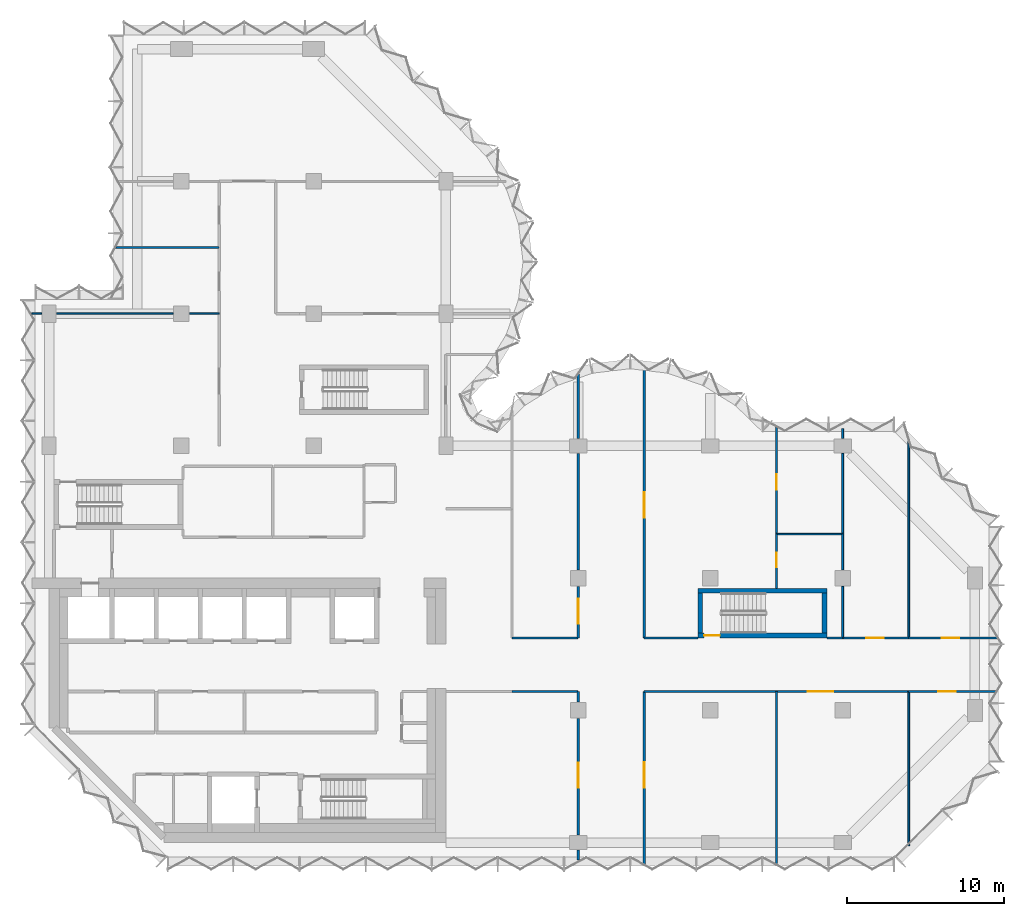
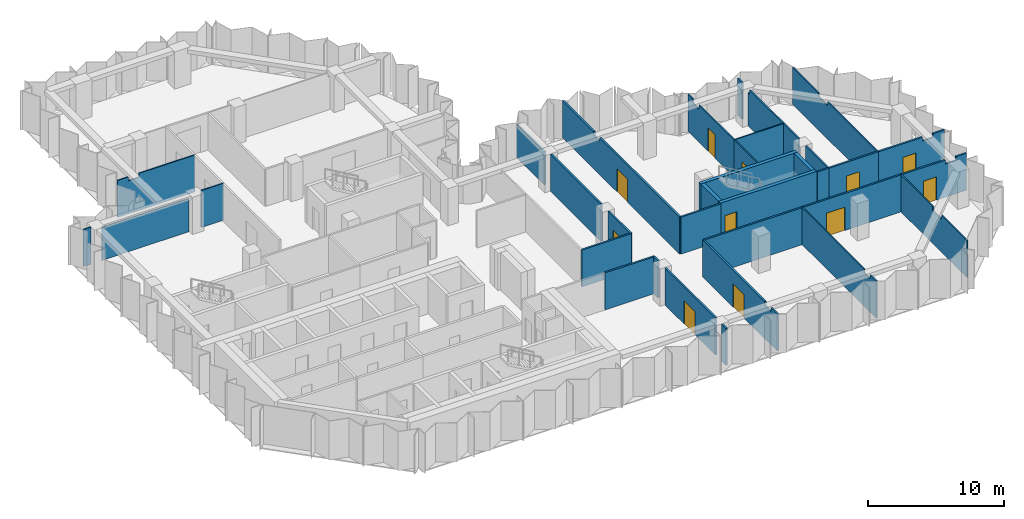
# One storey, part 7 of 10: 35 walls, 11 doors, 11 openings.
"""IFC4 building model written with IfcOpenShell, lengths in metres."""

from ifc_helpers import new_model, si_unit, direction, frame, frame_2d, origin, place, context, subcontext, project, spatial, polyline, rectangle, outline, extrude, material, layer, layer_set, type_object, element, fill, save


model = new_model("IFC4")

# Units and contexts
model_context = context("Model", 3, precision=1e-05, world=origin(), true_north=direction((0.0, 1.0)))
body_context = subcontext(model_context, "Body", "Model", "MODEL_VIEW")
ifc_project = project(units=[si_unit("LENGTHUNIT", "METRE"), si_unit("AREAUNIT", "SQUARE_METRE"), si_unit("VOLUMEUNIT", "CUBIC_METRE"), si_unit("PLANEANGLEUNIT", "RADIAN"), si_unit("MASSUNIT", "GRAM", prefix="KILO")], contexts=[model_context])

# Site, building, storey
site_placement = place(None, origin())
site = spatial("IfcSite", under=ifc_project, at=site_placement, CompositionType="ELEMENT")
building_placement = place(site_placement, origin())
building = spatial("IfcBuilding", under=site, at=building_placement, Name="Brevane Broadcast Tower", CompositionType="ELEMENT")
storey_placement = place(building_placement, frame((0.0, 0.0, 177.60009765625)))
storey = spatial("IfcBuildingStorey", under=building, at=storey_placement, Name="L44", CompositionType="ELEMENT", Elevation=177.60009765625)

# Wall, opening, door
ifc_material_1 = material(Name="Concrete C60/75", Category="concrete")
ifc_layer_1 = layer(ifc_material_1, 0.300048828125)
ifc_layer_set_1 = layer_set([ifc_layer_1], Name="Core wall 300 mm C60/75")
wall_type_1 = type_object("IfcWallType", Name="Core wall 300 mm C60/75", PredefinedType="SHEAR", material=ifc_layer_set_1)
wall_1_placement = place(storey_placement, frame((49.39990234375, 13.14990234375, 0.0), z_axis=(0.0, 0.0, 1.0), x_axis=(-1.0, 0.0, 0.0)))
wall_1 = element("IfcWall", 1, at=wall_1_placement, inside=storey, type_object=wall_type_1, Name="L44 stair wall ST-4-S", PredefinedType="SHEAR", context=body_context, shape_type="SweptSolid", body=[
    extrude(rectangle(XDim=8.199951171875, YDim=0.300048828125, at=frame_2d((4.10009765625, 0.0))), origin(), (0.0, 0.0, 1.0), 3.349853515625),
])
opening_1_placement = place(wall_1_placement, frame((6.800048828125, 0.0, 0.0)))
opening_1 = element("IfcOpeningElement", 2, at=opening_1_placement, cuts=wall_1, Name="Opening L44-K13", PredefinedType="OPENING", context=body_context, shape_type="SweptSolid", body=[
    extrude(rectangle(XDim=1.0, YDim=2.10009765625, at=frame_2d((0.5, 1.050048828125))), frame((0.0, 0.159912109375, 0.0), z_axis=(0.0, -1.0, 0.0), x_axis=(1.0, 0.0, 0.0)), (0.0, 0.0, 1.0), 0.320068359375),
])
ifc_material_2 = material(Name="Steel", Category="steel")
door_type_1 = type_object("IfcDoorType", Name="Stair door 1000 x 2100", OperationType="SINGLE_SWING_LEFT", PredefinedType="DOOR", material=ifc_material_2)
door_1_placement = place(opening_1_placement, origin())
door_1 = element("IfcDoor", 3, at=door_1_placement, inside=storey, type_object=door_type_1, Name="Door L44-K13", OperationType="SINGLE_SWING_RIGHT", OverallHeight=2.10009765625, OverallWidth=1.0, PredefinedType="DOOR", context=body_context, shape_type="SweptSolid", body=[
    extrude(rectangle(XDim=1.0, YDim=2.10009765625, at=frame_2d((0.5, 1.050048828125))), frame((0.0, 0.02490234375, 0.0), z_axis=(0.0, -1.0, 0.0), x_axis=(1.0, 0.0, 0.0)), (0.0, 0.0, 1.0), 0.050048828125),
])
fill(opening_1, door_1)

# Walls
wall_2_placement = place(storey_placement, frame((41.199951171875, 16.0, 0.0), z_axis=(0.0, 0.0, 1.0), x_axis=(1.0, 0.0, 0.0)))
element("IfcWall", 4, at=wall_2_placement, inside=storey, type_object=wall_type_1, Name="L44 stair wall ST-4-N", PredefinedType="SHEAR", context=body_context, shape_type="SweptSolid", body=[
    extrude(rectangle(XDim=8.199951171875, YDim=0.300048828125, at=frame_2d((4.10009765625, 0.0))), origin(), (0.0, 0.0, 1.0), 3.349853515625),
])
for number, where, z_axis, x_axis, name in (
    (5, (41.35009765625, 13.300048828125, 0.0), (0.0, 0.0, 1.0), (0.0, 1.0, 0.0), "L44 stair wall ST-4-W"),
    (6, (49.25, 13.300048828125, 0.0), (0.0, 0.0, 1.0), (0.0, 1.0, 0.0), "L44 stair wall ST-4-E"),
):
    element("IfcWall", number, at=place(storey_placement, frame(where, z_axis=z_axis, x_axis=x_axis)), inside=storey, type_object=wall_type_1, Name=name, PredefinedType="SHEAR", context=body_context, shape_type="SweptSolid", body=[
        extrude(rectangle(XDim=2.550048828125, YDim=0.300048828125, at=frame_2d((1.27490234375, 0.0))), origin(), (0.0, 0.0, 1.0), 3.349853515625),
    ])
ifc_material_3 = material(Name="Gypsum board partition")
ifc_layer_2 = layer(ifc_material_3, 0.10009765625)
ifc_layer_set_2 = layer_set([ifc_layer_2], Name="PARTITION 100 STUD")
wall_type_2 = type_object("IfcWallType", Name="PARTITION 100 STUD", PredefinedType="PARTITIONING", material=ifc_layer_set_2)
wall_3_placement = place(storey_placement, frame((46.199951171875, 9.60009765625, 0.0), z_axis=(0.0, 0.0, 1.0), x_axis=(0.0, -1.0, 0.0)))
element("IfcWall", 7, at=wall_3_placement, inside=storey, type_object=wall_type_2, Name="Partition G13-020", PredefinedType="PARTITIONING", context=body_context, shape_type="SweptSolid", body=[
    extrude(outline(polyline([(0.0, 0.0), (10.965087890625, 0.0), (10.965087890625, 3.329833984375), (10.699951171875, 3.329833984375), (10.050048828125, 3.329833984375), (10.048095703125, 2.97998046875), (9.152099609375, 2.97998046875), (9.14990234375, 3.329833984375), (0.0, 3.329833984375), (0.0, 0.0)])), frame((0.0, 0.050048828125, 0.0), z_axis=(0.0, -1.0, 0.0), x_axis=(1.0, 0.0, 0.0)), (0.0, 0.0, 1.0), 0.10009765625),
])
wall_4_placement = place(storey_placement, frame((54.60009765625, 9.60009765625, 0.0), z_axis=(0.0, 0.0, 1.0), x_axis=(0.0, -1.0, 0.0)))
element("IfcWall", 8, at=wall_4_placement, inside=storey, type_object=wall_type_2, Name="Partition G13-021", PredefinedType="PARTITIONING", context=body_context, shape_type="SweptSolid", body=[
    extrude(outline(polyline([(0.0, 0.0), (9.800048828125, 0.0), (9.800048828125, 3.329833984375), (6.065673828125, 3.329833984375), (6.063720703125, 2.97998046875), (4.736328125, 2.97998046875), (4.734375, 3.329833984375), (0.0, 3.329833984375), (0.0, 0.0)])), frame((0.0, 0.050048828125, 0.0), z_axis=(0.0, -1.0, 0.0), x_axis=(1.0, 0.0, 0.0)), (0.0, 0.0, 1.0), 0.10009765625),
])

# Wall, opening, door
wall_5_placement = place(storey_placement, frame((46.199951171875, 19.60009765625, 0.0), z_axis=(0.0, 0.0, 1.0), x_axis=(0.0, -1.0, 0.0)))
wall_5 = element("IfcWall", 9, at=wall_5_placement, inside=storey, type_object=wall_type_2, Name="Partition G13-026", PredefinedType="PARTITIONING", context=body_context, shape_type="SweptSolid", body=[
    extrude(rectangle(XDim=3.4501953125, YDim=0.10009765625, at=frame_2d((1.72509765625, 0.0))), origin(), (0.0, 0.0, 1.0), 3.329833984375),
])
opening_2_placement = place(wall_5_placement, frame((1.199951171875, 0.0, 0.0)))
opening_2 = element("IfcOpeningElement", 10, at=opening_2_placement, cuts=wall_5, Name="Opening D22-008", PredefinedType="OPENING", context=body_context, shape_type="SweptSolid", body=[
    extrude(rectangle(XDim=0.89990234375, YDim=2.10009765625, at=frame_2d((0.449951171875, 1.050048828125))), frame((0.0, 0.06005859375, 0.0), z_axis=(0.0, -1.0, 0.0), x_axis=(1.0, 0.0, 0.0)), (0.0, 0.0, 1.0), 0.1201171875),
])
ifc_material_4 = material(Name="Timber door leaf", Category="wood")
door_type_2 = type_object("IfcDoorType", Name="DOOR SINGLE 900 INTERNAL", OperationType="SINGLE_SWING_LEFT", PredefinedType="DOOR", material=ifc_material_4)
door_2_placement = place(opening_2_placement, origin())
door_2 = element("IfcDoor", 11, at=door_2_placement, inside=storey, type_object=door_type_2, Name="Door D22-008", OperationType="SINGLE_SWING_LEFT", OverallHeight=2.10009765625, OverallWidth=0.89990234375, PredefinedType="DOOR", context=body_context, shape_type="SweptSolid", body=[
    extrude(rectangle(XDim=0.89990234375, YDim=2.10009765625, at=frame_2d((0.449951171875, 1.050048828125))), frame((0.0, 0.02490234375, 0.0), z_axis=(0.0, -1.0, 0.0), x_axis=(1.0, 0.0, 0.0)), (0.0, 0.0, 1.0), 0.050048828125),
])
fill(opening_2, door_2)

wall_6_placement = place(storey_placement, frame((46.199951171875, 26.3740234375, 0.0), z_axis=(0.0, 0.0, 1.0), x_axis=(0.0, -1.0, 0.0)))
wall_6 = element("IfcWall", 12, at=wall_6_placement, inside=storey, type_object=wall_type_2, Name="Partition G13-027", PredefinedType="PARTITIONING", context=body_context, shape_type="SweptSolid", body=[
    extrude(outline(polyline([(0.0, 0.0), (6.77392578125, 0.0), (6.77392578125, 3.329833984375), (1.6240234375, 3.329833984375), (1.6220703125, 2.97998046875), (0.72607421875, 2.97998046875), (0.72412109375, 3.329833984375), (0.073974609375, 3.329833984375), (0.0, 3.329833984375), (0.0, 0.0)])), frame((0.0, 0.050048828125, 0.0), z_axis=(0.0, -1.0, 0.0), x_axis=(1.0, 0.0, 0.0)), (0.0, 0.0, 1.0), 0.10009765625),
])
opening_3_placement = place(wall_6_placement, frame((2.97412109375, 0.0, 0.0)))
opening_3 = element("IfcOpeningElement", 13, at=opening_3_placement, cuts=wall_6, Name="Opening D22-009", PredefinedType="OPENING", context=body_context, shape_type="SweptSolid", body=[
    extrude(rectangle(XDim=1.0, YDim=2.10009765625, at=frame_2d((0.5, 1.050048828125))), frame((0.0, 0.06005859375, 0.0), z_axis=(0.0, -1.0, 0.0), x_axis=(1.0, 0.0, 0.0)), (0.0, 0.0, 1.0), 0.1201171875),
])
door_type_3 = type_object("IfcDoorType", Name="DOOR SINGLE 1000 INTERNAL", OperationType="SINGLE_SWING_LEFT", PredefinedType="DOOR", material=ifc_material_4)
door_3_placement = place(opening_3_placement, origin())
door_3 = element("IfcDoor", 14, at=door_3_placement, inside=storey, type_object=door_type_3, Name="Door D22-009", OperationType="SINGLE_SWING_LEFT", OverallHeight=2.10009765625, OverallWidth=1.0, PredefinedType="DOOR", context=body_context, shape_type="SweptSolid", body=[
    extrude(rectangle(XDim=1.0, YDim=2.10009765625, at=frame_2d((0.5, 1.050048828125))), frame((0.0, 0.02490234375, 0.0), z_axis=(0.0, -1.0, 0.0), x_axis=(1.0, 0.0, 0.0)), (0.0, 0.0, 1.0), 0.050048828125),
])
fill(opening_3, door_3)

# Walls
wall_7_placement = place(storey_placement, frame((46.199951171875, 19.60009765625, 0.0), z_axis=(0.0, 0.0, 1.0), x_axis=(1.0, 0.0, 0.0)))
element("IfcWall", 15, at=wall_7_placement, inside=storey, type_object=wall_type_2, Name="Partition G13-028", PredefinedType="PARTITIONING", context=body_context, shape_type="SweptSolid", body=[
    extrude(rectangle(XDim=4.199951171875, YDim=0.10009765625, at=frame_2d((2.10009765625, 0.0))), origin(), (0.0, 0.0, 1.0), 3.329833984375),
])
wall_8_placement = place(storey_placement, frame((54.60009765625, 25.50244140625, 0.0), z_axis=(0.0, 0.0, 1.0), x_axis=(0.0, -1.0, 0.0)))
element("IfcWall", 16, at=wall_8_placement, inside=storey, type_object=wall_type_2, Name="Partition G13-033", PredefinedType="PARTITIONING", context=body_context, shape_type="SweptSolid", body=[
    extrude(outline(polyline([(0.0, 0.0), (12.50244140625, 0.0), (12.50244140625, 3.329833984375), (5.168212890625, 3.329833984375), (5.166259765625, 2.97998046875), (3.8388671875, 2.97998046875), (3.8369140625, 3.329833984375), (0.1025390625, 3.329833984375), (0.0, 3.329833984375), (0.0, 0.0)])), frame((0.0, 0.050048828125, 0.0), z_axis=(0.0, -1.0, 0.0), x_axis=(1.0, 0.0, 0.0)), (0.0, 0.0, 1.0), 0.10009765625),
])
wall_9_placement = place(storey_placement, frame((-1.10009765625, 33.60009765625, 0.0), z_axis=(0.0, 0.0, 1.0), x_axis=(1.0, 0.0, 0.0)))
element("IfcWall", 17, at=wall_9_placement, inside=storey, type_object=wall_type_2, Name="Partition G13-048", PredefinedType="PARTITIONING", context=body_context, shape_type="SweptSolid", body=[
    extrude(rectangle(XDim=0.630126953125, YDim=0.10009765625, at=frame_2d((0.31494140625, 0.0))), origin(), (0.0, 0.0, 1.0), 3.329833984375),
])
wall_10_placement = place(storey_placement, frame((0.469970703125, 33.60009765625, 0.0), z_axis=(0.0, 0.0, 1.0), x_axis=(1.0, 0.0, 0.0)))
element("IfcWall", 18, at=wall_10_placement, inside=storey, type_object=wall_type_2, Name="Partition G13-049", PredefinedType="PARTITIONING", context=body_context, shape_type="SweptSolid", body=[
    extrude(outline(polyline([(0.0, 0.0), (7.409912109375, 0.0), (7.409912109375, 2.97998046875), (0.0, 2.97998046875), (0.0, 0.0)])), frame((0.0, 0.050048828125, 0.0), z_axis=(0.0, -1.0, 0.0), x_axis=(1.0, 0.0, 0.0)), (0.0, 0.0, 1.0), 0.10009765625),
])
wall_11_placement = place(storey_placement, frame((8.919921875, 33.60009765625, 0.0), z_axis=(0.0, 0.0, 1.0), x_axis=(1.0, 0.0, 0.0)))
element("IfcWall", 19, at=wall_11_placement, inside=storey, type_object=wall_type_2, Name="Partition G13-050", PredefinedType="PARTITIONING", context=body_context, shape_type="SweptSolid", body=[
    extrude(rectangle(XDim=1.880126953125, YDim=0.10009765625, at=frame_2d((0.93994140625, 0.0))), origin(), (0.0, 0.0, 1.0), 3.329833984375),
])
wall_12_placement = place(storey_placement, frame((4.235107421875, 37.800048828125, 0.0), z_axis=(0.0, 0.0, 1.0), x_axis=(1.0, 0.0, 0.0)))
element("IfcWall", 20, at=wall_12_placement, inside=storey, type_object=wall_type_2, Name="Partition G13-051", PredefinedType="PARTITIONING", context=body_context, shape_type="SweptSolid", body=[
    extrude(outline(polyline([(0.0, 0.0), (6.56494140625, 0.0), (6.56494140625, 3.329833984375), (1.81494140625, 3.329833984375), (1.81298828125, 2.97998046875), (0.9169921875, 2.97998046875), (0.9150390625, 3.329833984375), (0.264892578125, 3.329833984375), (0.0, 3.329833984375), (0.0, 0.0)])), frame((0.0, 0.050048828125, 0.0), z_axis=(0.0, -1.0, 0.0), x_axis=(1.0, 0.0, 0.0)), (0.0, 0.0, 1.0), 0.10009765625),
])
ifc_layer_3 = layer(ifc_material_3, 0.125)
ifc_layer_set_3 = layer_set([ifc_layer_3], Name="PARTITION 125 ACOUSTIC")
wall_type_3 = type_object("IfcWallType", Name="PARTITION 125 ACOUSTIC", PredefinedType="PARTITIONING", material=ifc_layer_set_3)
wall_13_placement = place(storey_placement, frame((50.39990234375, 19.60009765625, 0.0), z_axis=(0.0, 0.0, 1.0), x_axis=(0.0, -1.0, 0.0)))
element("IfcWall", 21, at=wall_13_placement, inside=storey, type_object=wall_type_3, Name="Partition G13-029", PredefinedType="PARTITIONING", context=body_context, shape_type="SweptSolid", body=[
    extrude(rectangle(XDim=2.280029296875, YDim=0.125, at=frame_2d((1.14013671875, 0.0))), origin(), (0.0, 0.0, 1.0), 3.329833984375),
])
wall_14_placement = place(storey_placement, frame((50.39990234375, 16.280029296875, 0.0), z_axis=(0.0, 0.0, 1.0), x_axis=(0.0, -1.0, 0.0)))
element("IfcWall", 22, at=wall_14_placement, inside=storey, type_object=wall_type_3, Name="Partition G13-030", PredefinedType="PARTITIONING", context=body_context, shape_type="SweptSolid", body=[
    extrude(rectangle(XDim=3.280029296875, YDim=0.125, at=frame_2d((1.64013671875, 0.0))), origin(), (0.0, 0.0, 1.0), 3.329833984375),
])
wall_15_placement = place(storey_placement, frame((50.39990234375, 26.300048828125, 0.0), z_axis=(0.0, 0.0, 1.0), x_axis=(0.0, -1.0, 0.0)))
element("IfcWall", 23, at=wall_15_placement, inside=storey, type_object=wall_type_3, Name="Partition G13-031", PredefinedType="PARTITIONING", context=body_context, shape_type="SweptSolid", body=[
    extrude(rectangle(XDim=0.630126953125, YDim=0.125, at=frame_2d((0.31494140625, 0.0))), origin(), (0.0, 0.0, 1.0), 3.329833984375),
])
wall_16_placement = place(storey_placement, frame((50.39990234375, 24.72998046875, 0.0), z_axis=(0.0, 0.0, 1.0), x_axis=(0.0, -1.0, 0.0)))
element("IfcWall", 24, at=wall_16_placement, inside=storey, type_object=wall_type_3, Name="Partition G13-032", PredefinedType="PARTITIONING", context=body_context, shape_type="SweptSolid", body=[
    extrude(outline(polyline([(0.0, 0.0), (5.1298828125, 0.0), (5.1298828125, 3.329833984375), (0.208251953125, 3.329833984375), (0.206298828125, 2.97998046875), (0.0, 2.97998046875), (0.0, 0.0)])), frame((0.0, 0.0625, 0.0), z_axis=(0.0, -1.0, 0.0), x_axis=(1.0, 0.0, 0.0)), (0.0, 0.0, 1.0), 0.125),
])
ifc_layer_4 = layer(ifc_material_3, 0.14990234375)
ifc_layer_set_4 = layer_set([ifc_layer_4], Name="PARTITION 150 EI 60")
wall_type_4 = type_object("IfcWallType", Name="PARTITION 150 EI 60", PredefinedType="PARTITIONING", material=ifc_layer_set_4)
wall_17_placement = place(storey_placement, frame((33.60009765625, 9.60009765625, 0.0), z_axis=(0.0, 0.0, 1.0), x_axis=(-1.0, 0.0, 0.0)))
element("IfcWall", 25, at=wall_17_placement, inside=storey, type_object=wall_type_4, Name="Partition G13-007", PredefinedType="PARTITIONING", context=body_context, shape_type="SweptSolid", body=[
    extrude(rectangle(XDim=4.2001953125, YDim=0.14990234375, at=frame_2d((2.10009765625, 0.0))), origin(), (0.0, 0.0, 1.0), 3.329833984375),
])
wall_18_placement = place(storey_placement, frame((46.199951171875, 9.60009765625, 0.0), z_axis=(0.0, 0.0, 1.0), x_axis=(-1.0, 0.0, 0.0)))
element("IfcWall", 26, at=wall_18_placement, inside=storey, type_object=wall_type_4, Name="Partition G13-008", PredefinedType="PARTITIONING", context=body_context, shape_type="SweptSolid", body=[
    extrude(rectangle(XDim=8.39990234375, YDim=0.14990234375, at=frame_2d((4.199951171875, 0.0))), origin(), (0.0, 0.0, 1.0), 3.329833984375),
])

# Wall, opening, door
wall_19_placement = place(storey_placement, frame((54.60009765625, 9.60009765625, 0.0), z_axis=(0.0, 0.0, 1.0), x_axis=(-1.0, 0.0, 0.0)))
wall_19 = element("IfcWall", 27, at=wall_19_placement, inside=storey, type_object=wall_type_4, Name="Partition G13-009", PredefinedType="PARTITIONING", context=body_context, shape_type="SweptSolid", body=[
    extrude(rectangle(XDim=8.400146484375, YDim=0.14990234375, at=frame_2d((4.2001953125, 0.0))), origin(), (0.0, 0.0, 1.0), 3.329833984375),
])
opening_4_placement = place(wall_19_placement, frame((4.800048828125, 0.0, 0.0)))
opening_4 = element("IfcOpeningElement", 28, at=opening_4_placement, cuts=wall_19, Name="Opening D22-004", PredefinedType="OPENING", context=body_context, shape_type="SweptSolid", body=[
    extrude(rectangle(XDim=1.60009765625, YDim=2.10009765625, at=frame_2d((0.800048828125, 1.050048828125))), frame((0.0, 0.0849609375, 0.0), z_axis=(0.0, -1.0, 0.0), x_axis=(1.0, 0.0, 0.0)), (0.0, 0.0, 1.0), 0.169921875),
])
ifc_material_5 = material(Name="Fire-rated timber door leaf", Category="wood")
door_type_4 = type_object("IfcDoorType", Name="DOOR DOUBLE 1600 FD30S", OperationType="DOUBLE_DOOR_SINGLE_SWING", PredefinedType="DOOR", material=ifc_material_5)
door_4_placement = place(opening_4_placement, origin())
door_4 = element("IfcDoor", 29, at=door_4_placement, inside=storey, type_object=door_type_4, Name="Door D22-004", OperationType="DOUBLE_DOOR_SINGLE_SWING", OverallHeight=2.10009765625, OverallWidth=1.60009765625, PredefinedType="DOOR", context=body_context, shape_type="SweptSolid", body=[
    extrude(rectangle(XDim=1.60009765625, YDim=2.10009765625, at=frame_2d((0.800048828125, 1.050048828125))), frame((0.0, 0.02490234375, 0.0), z_axis=(0.0, -1.0, 0.0), x_axis=(1.0, 0.0, 0.0)), (0.0, 0.0, 1.0), 0.050048828125),
])
fill(opening_4, door_4)

wall_20_placement = place(storey_placement, frame((60.130615234375, 9.60009765625, 0.0), z_axis=(0.0, 0.0, 1.0), x_axis=(-1.0, 0.0, 0.0)))
wall_20 = element("IfcWall", 30, at=wall_20_placement, inside=storey, type_object=wall_type_4, Name="Partition G13-010", PredefinedType="PARTITIONING", context=body_context, shape_type="SweptSolid", body=[
    extrude(outline(polyline([(0.0, 0.0), (5.530517578125, 0.0), (5.530517578125, 3.329833984375), (1.780517578125, 3.329833984375), (1.778564453125, 2.97998046875), (0.882568359375, 2.97998046875), (0.880615234375, 3.329833984375), (0.25048828125, 3.329833984375), (0.0, 3.329833984375), (0.0, 0.0)])), frame((0.0, 0.074951171875, 0.0), z_axis=(0.0, -1.0, 0.0), x_axis=(1.0, 0.0, 0.0)), (0.0, 0.0, 1.0), 0.14990234375),
])
opening_5_placement = place(wall_20_placement, frame((2.550537109375, 0.0, 0.0)))
opening_5 = element("IfcOpeningElement", 31, at=opening_5_placement, cuts=wall_20, Name="Opening D22-005", PredefinedType="OPENING", context=body_context, shape_type="SweptSolid", body=[
    extrude(rectangle(XDim=1.10009765625, YDim=2.10009765625, at=frame_2d((0.550048828125, 1.050048828125))), frame((0.0, 0.0849609375, 0.0), z_axis=(0.0, -1.0, 0.0), x_axis=(1.0, 0.0, 0.0)), (0.0, 0.0, 1.0), 0.169921875),
])
door_type_5 = type_object("IfcDoorType", Name="DOOR SINGLE 1100 FD30S", OperationType="SINGLE_SWING_LEFT", PredefinedType="DOOR", material=ifc_material_5)
door_5_placement = place(opening_5_placement, origin())
door_5 = element("IfcDoor", 32, at=door_5_placement, inside=storey, type_object=door_type_5, Name="Door D22-005", OperationType="SINGLE_SWING_LEFT", OverallHeight=2.10009765625, OverallWidth=1.10009765625, PredefinedType="DOOR", context=body_context, shape_type="SweptSolid", body=[
    extrude(rectangle(XDim=1.10009765625, YDim=2.10009765625, at=frame_2d((0.550048828125, 1.050048828125))), frame((0.0, 0.02490234375, 0.0), z_axis=(0.0, -1.0, 0.0), x_axis=(1.0, 0.0, 0.0)), (0.0, 0.0, 1.0), 0.050048828125),
])
fill(opening_5, door_5)

# Walls
wall_21_placement = place(storey_placement, frame((29.39990234375, 13.0, 0.0), z_axis=(0.0, 0.0, 1.0), x_axis=(1.0, 0.0, 0.0)))
element("IfcWall", 33, at=wall_21_placement, inside=storey, type_object=wall_type_4, Name="Partition G13-011", PredefinedType="PARTITIONING", context=body_context, shape_type="SweptSolid", body=[
    extrude(rectangle(XDim=4.2001953125, YDim=0.14990234375, at=frame_2d((2.10009765625, 0.0))), origin(), (0.0, 0.0, 1.0), 3.329833984375),
])
wall_22_placement = place(storey_placement, frame((37.800048828125, 13.0, 0.0), z_axis=(0.0, 0.0, 1.0), x_axis=(1.0, 0.0, 0.0)))
element("IfcWall", 34, at=wall_22_placement, inside=storey, type_object=wall_type_4, Name="Partition G13-012", PredefinedType="PARTITIONING", context=body_context, shape_type="SweptSolid", body=[
    extrude(rectangle(XDim=3.39990234375, YDim=0.14990234375, at=frame_2d((1.699951171875, 0.0))), origin(), (0.0, 0.0, 1.0), 3.329833984375),
])
wall_23_placement = place(storey_placement, frame((49.39990234375, 13.0, 0.0), z_axis=(0.0, 0.0, 1.0), x_axis=(1.0, 0.0, 0.0)))
element("IfcWall", 35, at=wall_23_placement, inside=storey, type_object=wall_type_4, Name="Partition G13-013", PredefinedType="PARTITIONING", context=body_context, shape_type="SweptSolid", body=[
    extrude(rectangle(XDim=1.0, YDim=0.14990234375, at=frame_2d((0.5, 0.0))), origin(), (0.0, 0.0, 1.0), 3.329833984375),
])

# Wall, opening, door
wall_24_placement = place(storey_placement, frame((50.39990234375, 13.0, 0.0), z_axis=(0.0, 0.0, 1.0), x_axis=(1.0, 0.0, 0.0)))
wall_24 = element("IfcWall", 36, at=wall_24_placement, inside=storey, type_object=wall_type_4, Name="Partition G13-014", PredefinedType="PARTITIONING", context=body_context, shape_type="SweptSolid", body=[
    extrude(rectangle(XDim=4.2001953125, YDim=0.14990234375, at=frame_2d((2.10009765625, 0.0))), origin(), (0.0, 0.0, 1.0), 3.329833984375),
])
opening_6_placement = place(wall_24_placement, frame((1.5, 0.0, 0.0)))
opening_6 = element("IfcOpeningElement", 37, at=opening_6_placement, cuts=wall_24, Name="Opening D22-010", PredefinedType="OPENING", context=body_context, shape_type="SweptSolid", body=[
    extrude(rectangle(XDim=1.10009765625, YDim=2.10009765625, at=frame_2d((0.550048828125, 1.050048828125))), frame((0.0, 0.0849609375, 0.0), z_axis=(0.0, -1.0, 0.0), x_axis=(1.0, 0.0, 0.0)), (0.0, 0.0, 1.0), 0.169921875),
])
door_6_placement = place(opening_6_placement, origin())
door_6 = element("IfcDoor", 38, at=door_6_placement, inside=storey, type_object=door_type_5, Name="Door D22-010", OperationType="SINGLE_SWING_LEFT", OverallHeight=2.10009765625, OverallWidth=1.10009765625, PredefinedType="DOOR", context=body_context, shape_type="SweptSolid", body=[
    extrude(rectangle(XDim=1.10009765625, YDim=2.10009765625, at=frame_2d((0.550048828125, 1.050048828125))), frame((0.0, 0.02490234375, 0.0), z_axis=(0.0, -1.0, 0.0), x_axis=(1.0, 0.0, 0.0)), (0.0, 0.0, 1.0), 0.050048828125),
])
fill(opening_6, door_6)

wall_25_placement = place(storey_placement, frame((54.60009765625, 13.0, 0.0), z_axis=(0.0, 0.0, 1.0), x_axis=(1.0, 0.0, 0.0)))
wall_25 = element("IfcWall", 39, at=wall_25_placement, inside=storey, type_object=wall_type_4, Name="Partition G13-015", PredefinedType="PARTITIONING", context=body_context, shape_type="SweptSolid", body=[
    extrude(outline(polyline([(0.0, 0.0), (5.619384765625, 0.0), (5.619384765625, 3.329833984375), (5.280029296875, 3.329833984375), (4.64990234375, 3.329833984375), (4.64794921875, 2.97998046875), (3.751953125, 2.97998046875), (3.75, 3.329833984375), (0.0, 3.329833984375), (0.0, 0.0)])), frame((0.0, 0.074951171875, 0.0), z_axis=(0.0, -1.0, 0.0), x_axis=(1.0, 0.0, 0.0)), (0.0, 0.0, 1.0), 0.14990234375),
])
opening_7_placement = place(wall_25_placement, frame((2.10009765625, 0.0, 0.0)))
opening_7 = element("IfcOpeningElement", 40, at=opening_7_placement, cuts=wall_25, Name="Opening D22-011", PredefinedType="OPENING", context=body_context, shape_type="SweptSolid", body=[
    extrude(rectangle(XDim=1.10009765625, YDim=2.10009765625, at=frame_2d((0.550048828125, 1.050048828125))), frame((0.0, 0.0849609375, 0.0), z_axis=(0.0, -1.0, 0.0), x_axis=(1.0, 0.0, 0.0)), (0.0, 0.0, 1.0), 0.169921875),
])
door_7_placement = place(opening_7_placement, origin())
door_7 = element("IfcDoor", 41, at=door_7_placement, inside=storey, type_object=door_type_5, Name="Door D22-011", OperationType="SINGLE_SWING_LEFT", OverallHeight=2.10009765625, OverallWidth=1.10009765625, PredefinedType="DOOR", context=body_context, shape_type="SweptSolid", body=[
    extrude(rectangle(XDim=1.10009765625, YDim=2.10009765625, at=frame_2d((0.550048828125, 1.050048828125))), frame((0.0, 0.02490234375, 0.0), z_axis=(0.0, -1.0, 0.0), x_axis=(1.0, 0.0, 0.0)), (0.0, 0.0, 1.0), 0.050048828125),
])
fill(opening_7, door_7)

# Wall
wall_26_placement = place(storey_placement, frame((33.60009765625, -1.10009765625, 0.0), z_axis=(0.0, 0.0, 1.0), x_axis=(0.0, 1.0, 0.0)))
element("IfcWall", 42, at=wall_26_placement, inside=storey, type_object=wall_type_4, Name="Partition G13-016", PredefinedType="PARTITIONING", context=body_context, shape_type="SweptSolid", body=[
    extrude(rectangle(XDim=0.630126953125, YDim=0.14990234375, at=frame_2d((0.31494140625, 0.0))), origin(), (0.0, 0.0, 1.0), 3.329833984375),
])

# Wall, opening, door
wall_27_placement = place(storey_placement, frame((33.60009765625, 0.469970703125, 0.0), z_axis=(0.0, 0.0, 1.0), x_axis=(0.0, 1.0, 0.0)))
wall_27 = element("IfcWall", 43, at=wall_27_placement, inside=storey, type_object=wall_type_4, Name="Partition G13-017", PredefinedType="PARTITIONING", context=body_context, shape_type="SweptSolid", body=[
    extrude(rectangle(XDim=7.409912109375, YDim=0.14990234375, at=frame_2d((3.705078125, 0.0))), origin(), (0.0, 0.0, 1.0), 3.329833984375),
])
opening_8_placement = place(wall_27_placement, frame((3.0, 0.0, 0.0)))
opening_8 = element("IfcOpeningElement", 44, at=opening_8_placement, cuts=wall_27, Name="Opening D22-002", PredefinedType="OPENING", context=body_context, shape_type="SweptSolid", body=[
    extrude(rectangle(XDim=1.60009765625, YDim=2.10009765625, at=frame_2d((0.800048828125, 1.050048828125))), frame((0.0, 0.0849609375, 0.0), z_axis=(0.0, -1.0, 0.0), x_axis=(1.0, 0.0, 0.0)), (0.0, 0.0, 1.0), 0.169921875),
])
door_8_placement = place(opening_8_placement, origin())
door_8 = element("IfcDoor", 45, at=door_8_placement, inside=storey, type_object=door_type_4, Name="Door D22-002", OperationType="DOUBLE_DOOR_SINGLE_SWING", OverallHeight=2.10009765625, OverallWidth=1.60009765625, PredefinedType="DOOR", context=body_context, shape_type="SweptSolid", body=[
    extrude(rectangle(XDim=1.60009765625, YDim=2.10009765625, at=frame_2d((0.800048828125, 1.050048828125))), frame((0.0, 0.02490234375, 0.0), z_axis=(0.0, -1.0, 0.0), x_axis=(1.0, 0.0, 0.0)), (0.0, 0.0, 1.0), 0.050048828125),
])
fill(opening_8, door_8)

# Wall
wall_28_placement = place(storey_placement, frame((33.60009765625, 8.919921875, 0.0), z_axis=(0.0, 0.0, 1.0), x_axis=(0.0, 1.0, 0.0)))
element("IfcWall", 46, at=wall_28_placement, inside=storey, type_object=wall_type_4, Name="Partition G13-018", PredefinedType="PARTITIONING", context=body_context, shape_type="SweptSolid", body=[
    extrude(rectangle(XDim=0.68017578125, YDim=0.14990234375, at=frame_2d((0.340087890625, 0.0))), origin(), (0.0, 0.0, 1.0), 3.329833984375),
])

# Wall, opening, door
wall_29_placement = place(storey_placement, frame((37.800048828125, 9.60009765625, 0.0), z_axis=(0.0, 0.0, 1.0), x_axis=(0.0, -1.0, 0.0)))
wall_29 = element("IfcWall", 47, at=wall_29_placement, inside=storey, type_object=wall_type_4, Name="Partition G13-019", PredefinedType="PARTITIONING", context=body_context, shape_type="SweptSolid", body=[
    extrude(outline(polyline([(0.0, 0.0), (10.965087890625, 0.0), (10.965087890625, 3.329833984375), (10.699951171875, 3.329833984375), (10.050048828125, 3.329833984375), (10.048095703125, 2.97998046875), (9.152099609375, 2.97998046875), (9.14990234375, 3.329833984375), (0.0, 3.329833984375), (0.0, 0.0)])), frame((0.0, 0.074951171875, 0.0), z_axis=(0.0, -1.0, 0.0), x_axis=(1.0, 0.0, 0.0)), (0.0, 0.0, 1.0), 0.14990234375),
])
opening_9_placement = place(wall_29_placement, frame((4.5, 0.0, 0.0)))
opening_9 = element("IfcOpeningElement", 48, at=opening_9_placement, cuts=wall_29, Name="Opening D22-003", PredefinedType="OPENING", context=body_context, shape_type="SweptSolid", body=[
    extrude(rectangle(XDim=1.60009765625, YDim=2.10009765625, at=frame_2d((0.800048828125, 1.050048828125))), frame((0.0, 0.0849609375, 0.0), z_axis=(0.0, -1.0, 0.0), x_axis=(1.0, 0.0, 0.0)), (0.0, 0.0, 1.0), 0.169921875),
])
door_9_placement = place(opening_9_placement, origin())
door_9 = element("IfcDoor", 49, at=door_9_placement, inside=storey, type_object=door_type_4, Name="Door D22-003", OperationType="DOUBLE_DOOR_SINGLE_SWING", OverallHeight=2.10009765625, OverallWidth=1.60009765625, PredefinedType="DOOR", context=body_context, shape_type="SweptSolid", body=[
    extrude(rectangle(XDim=1.60009765625, YDim=2.10009765625, at=frame_2d((0.800048828125, 1.050048828125))), frame((0.0, 0.02490234375, 0.0), z_axis=(0.0, -1.0, 0.0), x_axis=(1.0, 0.0, 0.0)), (0.0, 0.0, 1.0), 0.050048828125),
])
fill(opening_9, door_9)

wall_30_placement = place(storey_placement, frame((33.60009765625, 13.0, 0.0), z_axis=(0.0, 0.0, 1.0), x_axis=(0.0, 1.0, 0.0)))
wall_30 = element("IfcWall", 50, at=wall_30_placement, inside=storey, type_object=wall_type_4, Name="Partition G13-022", PredefinedType="PARTITIONING", context=body_context, shape_type="SweptSolid", body=[
    extrude(rectangle(XDim=3.280029296875, YDim=0.14990234375, at=frame_2d((1.64013671875, 0.0))), origin(), (0.0, 0.0, 1.0), 3.329833984375),
])
opening_10_placement = place(wall_30_placement, frame((0.89990234375, 0.0, 0.0)))
opening_10 = element("IfcOpeningElement", 51, at=opening_10_placement, cuts=wall_30, Name="Opening D22-006", PredefinedType="OPENING", context=body_context, shape_type="SweptSolid", body=[
    extrude(rectangle(XDim=1.60009765625, YDim=2.10009765625, at=frame_2d((0.800048828125, 1.050048828125))), frame((0.0, 0.0849609375, 0.0), z_axis=(0.0, -1.0, 0.0), x_axis=(1.0, 0.0, 0.0)), (0.0, 0.0, 1.0), 0.169921875),
])
door_10_placement = place(opening_10_placement, origin())
door_10 = element("IfcDoor", 52, at=door_10_placement, inside=storey, type_object=door_type_4, Name="Door D22-006", OperationType="DOUBLE_DOOR_SINGLE_SWING", OverallHeight=2.10009765625, OverallWidth=1.60009765625, PredefinedType="DOOR", context=body_context, shape_type="SweptSolid", body=[
    extrude(rectangle(XDim=1.60009765625, YDim=2.10009765625, at=frame_2d((0.800048828125, 1.050048828125))), frame((0.0, 0.02490234375, 0.0), z_axis=(0.0, -1.0, 0.0), x_axis=(1.0, 0.0, 0.0)), (0.0, 0.0, 1.0), 0.050048828125),
])
fill(opening_10, door_10)

# Walls
wall_31_placement = place(storey_placement, frame((33.60009765625, 17.320068359375, 0.0), z_axis=(0.0, 0.0, 1.0), x_axis=(0.0, 1.0, 0.0)))
element("IfcWall", 53, at=wall_31_placement, inside=storey, type_object=wall_type_4, Name="Partition G13-023", PredefinedType="PARTITIONING", context=body_context, shape_type="SweptSolid", body=[
    extrude(rectangle(XDim=7.409912109375, YDim=0.14990234375, at=frame_2d((3.705078125, 0.0))), origin(), (0.0, 0.0, 1.0), 3.329833984375),
])
wall_32_placement = place(storey_placement, frame((33.60009765625, 25.669921875, 0.0), z_axis=(0.0, 0.0, 1.0), x_axis=(0.0, 1.0, 0.0)))
element("IfcWall", 54, at=wall_32_placement, inside=storey, type_object=wall_type_4, Name="Partition G13-024", PredefinedType="PARTITIONING", context=body_context, shape_type="SweptSolid", body=[
    extrude(rectangle(XDim=4.092041015625, YDim=0.14990234375, at=frame_2d((2.0458984375, 0.0))), origin(), (0.0, 0.0, 1.0), 2.97998046875),
])

# Wall, opening, door
wall_33_placement = place(storey_placement, frame((37.800048828125, 30.24267578125, 0.0), z_axis=(0.0, 0.0, 1.0), x_axis=(0.0, -1.0, 0.0)))
wall_33 = element("IfcWall", 55, at=wall_33_placement, inside=storey, type_object=wall_type_4, Name="Partition G13-025", PredefinedType="PARTITIONING", context=body_context, shape_type="SweptSolid", body=[
    extrude(outline(polyline([(0.0, 0.0), (17.24267578125, 0.0), (17.24267578125, 3.329833984375), (5.49267578125, 3.329833984375), (5.49072265625, 2.97998046875), (4.5947265625, 2.97998046875), (4.5927734375, 3.329833984375), (0.0, 3.329833984375), (0.0, 0.0)])), frame((0.0, 0.074951171875, 0.0), z_axis=(0.0, -1.0, 0.0), x_axis=(1.0, 0.0, 0.0)), (0.0, 0.0, 1.0), 0.14990234375),
])
opening_11_placement = place(wall_33_placement, frame((8.0, 0.0, 0.0)))
opening_11 = element("IfcOpeningElement", 56, at=opening_11_placement, cuts=wall_33, Name="Opening D22-007", PredefinedType="OPENING", context=body_context, shape_type="SweptSolid", body=[
    extrude(rectangle(XDim=1.60009765625, YDim=2.10009765625, at=frame_2d((0.800048828125, 1.050048828125))), frame((0.0, 0.0849609375, 0.0), z_axis=(0.0, -1.0, 0.0), x_axis=(1.0, 0.0, 0.0)), (0.0, 0.0, 1.0), 0.169921875),
])
door_11_placement = place(opening_11_placement, origin())
door_11 = element("IfcDoor", 57, at=door_11_placement, inside=storey, type_object=door_type_4, Name="Door D22-007", OperationType="DOUBLE_DOOR_SINGLE_SWING", OverallHeight=2.10009765625, OverallWidth=1.60009765625, PredefinedType="DOOR", context=body_context, shape_type="SweptSolid", body=[
    extrude(rectangle(XDim=1.60009765625, YDim=2.10009765625, at=frame_2d((0.800048828125, 1.050048828125))), frame((0.0, 0.02490234375, 0.0), z_axis=(0.0, -1.0, 0.0), x_axis=(1.0, 0.0, 0.0)), (0.0, 0.0, 1.0), 0.050048828125),
])
fill(opening_11, door_11)

save(model, "model.ifc")
